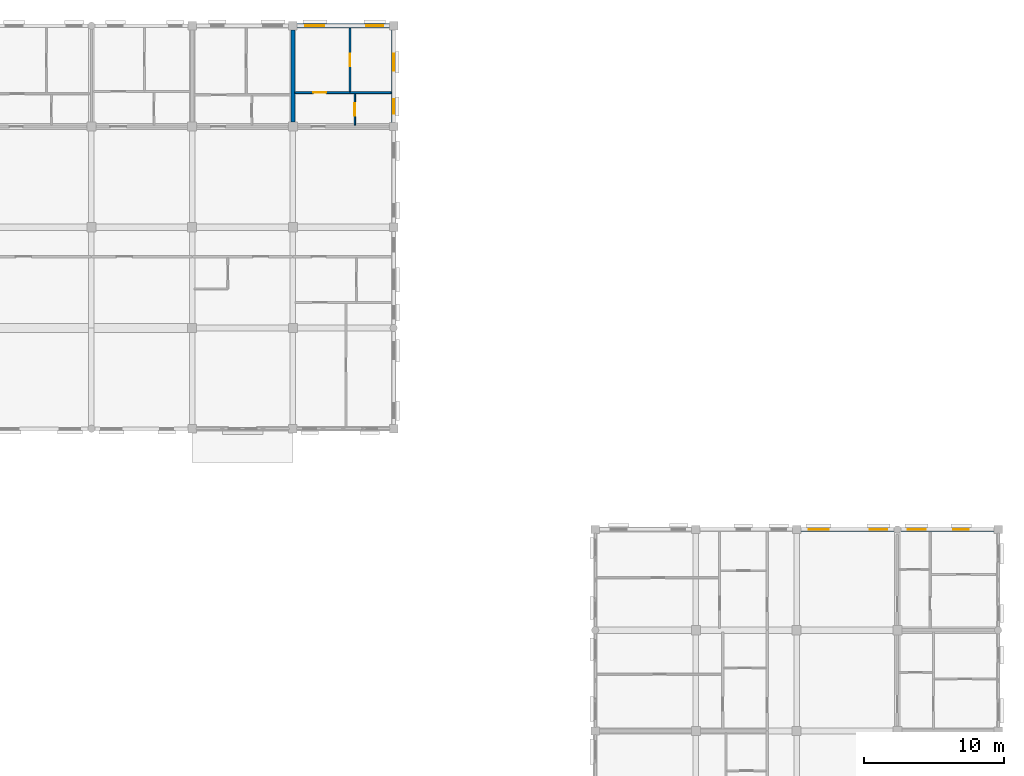
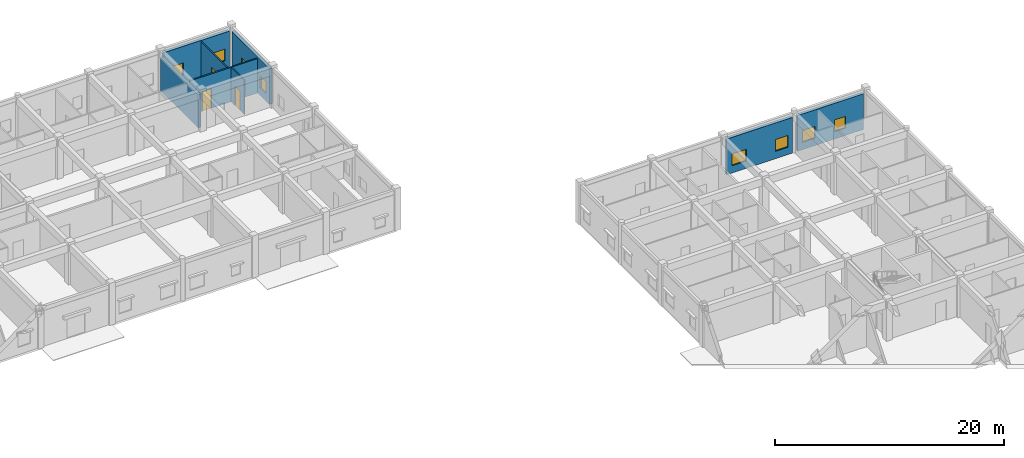
# One storey, part 121 of 138: 8 walls, 8 windows, 3 doors, 11 openings.
"""IFC4 building model written with IfcOpenShell, lengths in metres."""

import ifcopenshell
import ifcopenshell.guid

model = None  # the IFC model being written
_history = None  # IfcOwnerHistory: only IFC2X3 demands one
_inside = {}  # id of a spatial element -> (the spatial element, [elements in it])
_under = {}  # id of a project, library or spatial element -> (it, [spatial elements below it])
_declared = {}  # id of a project -> (the project, [libraries it declares])
_typed = {}  # id of a type object -> (the type object, [elements of that type])
_made_of = {}  # id of a material, layer set ... -> (it, [elements and type objects made of it])


def new_model(schema):
    """Start an empty IFC model of exactly this schema.

    Asked for "IFC4X3", IfcOpenShell would pick the latest addendum, in which some entities
    have other attributes; the version numbers below select the first issue.
    IFC2X3 requires an IfcOwnerHistory on every rooted entity: one is made here for all.
    """
    global model, _history
    if schema == "IFC4X3":
        model = ifcopenshell.file(schema_version=(4, 3, 0, 0))
    else:
        model = ifcopenshell.file(schema=schema)
    _inside.clear()
    _under.clear()
    _declared.clear()
    _typed.clear()
    _made_of.clear()
    _history = None
    if model.schema == "IFC2X3":
        org = make("IfcOrganization", Name="unknown")
        user = make(
            "IfcPersonAndOrganization",
            ThePerson=make("IfcPerson", FamilyName="unknown"),
            TheOrganization=org,
        )
        app = make(
            "IfcApplication",
            ApplicationDeveloper=org,
            Version="unknown",
            ApplicationFullName="unknown",
            ApplicationIdentifier="unknown",
        )
        _history = make(
            "IfcOwnerHistory",
            OwningUser=user,
            OwningApplication=app,
            ChangeAction="ADDED",
            CreationDate=0,
        )
    return model


def make(cls, **values):
    """One entity of the class cls with the attributes given. An attribute that is None is left unset."""
    return model.create_entity(
        cls, **{name: value for name, value in values.items() if value is not None}
    )


def rooted(cls, **values):
    """An entity with a GlobalId (a new one), such as an element, a storey or a relation."""
    return make(cls, GlobalId=ifcopenshell.guid.new(), OwnerHistory=_history, **values)


def si_unit(unit_type, name, prefix=None):
    """IfcSIUnit, for example si_unit("LENGTHUNIT", "METRE", prefix="MILLI")."""
    return make("IfcSIUnit", UnitType=unit_type, Prefix=prefix, Name=name)


def assignment(units):
    """IfcUnitAssignment: the units of a project."""
    return None if units is None else make("IfcUnitAssignment", Units=units)


def point(xyz):
    """IfcCartesianPoint."""
    return None if xyz is None else make("IfcCartesianPoint", Coordinates=xyz)


def direction(xyz):
    """IfcDirection."""
    return None if xyz is None else make("IfcDirection", DirectionRatios=xyz)


def frame(location, z_axis=None, x_axis=None):
    """IfcAxis2Placement3D, a coordinate frame: its origin and axes. An axis left out is left unset."""
    return make(
        "IfcAxis2Placement3D",
        Location=point(location),
        Axis=direction(z_axis),
        RefDirection=direction(x_axis),
    )


def frame_2d(location, x_axis=None):
    """IfcAxis2Placement2D, a coordinate frame in the plane: its origin and x axis."""
    return make(
        "IfcAxis2Placement2D", Location=point(location), RefDirection=direction(x_axis)
    )


def origin():
    """The frame at (0, 0, 0) with its axes left unset."""
    return frame((0.0, 0.0, 0.0))


def place(relative_to, where):
    """IfcLocalPlacement: puts the frame where relative to a parent placement (None: the world)."""
    return make(
        "IfcLocalPlacement", PlacementRelTo=relative_to, RelativePlacement=where
    )


def context(
    kind, dimensions, precision=None, world=None, true_north=None, identifier=None
):
    """IfcGeometricRepresentationContext, for example the 3D "Model" context."""
    return make(
        "IfcGeometricRepresentationContext",
        ContextIdentifier=identifier,
        ContextType=kind,
        CoordinateSpaceDimension=dimensions,
        Precision=precision,
        WorldCoordinateSystem=world,
        TrueNorth=true_north,
    )


def subcontext(parent, identifier, kind, view, scale=None):
    """IfcGeometricRepresentationSubContext, for example "Body" below "Model"."""
    return make(
        "IfcGeometricRepresentationSubContext",
        ContextIdentifier=identifier,
        ContextType=kind,
        ParentContext=parent,
        TargetScale=scale,
        TargetView=view,
    )


def project(units=None, contexts=None):
    """IfcProject with its units and contexts."""
    return rooted(
        "IfcProject",
        Name="project",
        RepresentationContexts=contexts,
        UnitsInContext=assignment(units),
    )


def spatial(cls, under=None, at=None, **own):
    """A site, building, storey or space (cls), placed at a placement, below another one or the project."""
    s = rooted(cls, ObjectPlacement=at, **own)
    if under is not None:
        _under.setdefault(under.id(), (under, []))[1].append(s)
    return s


def profile(cls, at=None, kind="AREA", **sizes):
    """A parametric profile (cls). Its sizes go by their IFC names, for example OverallWidth=200.0."""
    return make(cls, ProfileType=kind, Position=at, **sizes)


def rectangle(**sizes):
    """IfcRectangleProfileDef."""
    return profile("IfcRectangleProfileDef", **sizes)


def extrude(swept, where, along, depth):
    """IfcExtrudedAreaSolid: the profile swept, set in the frame where, extruded along a direction by depth."""
    return make(
        "IfcExtrudedAreaSolid",
        SweptArea=swept,
        Position=where,
        ExtrudedDirection=direction(along),
        Depth=depth,
    )


def shape(context_of_items, identifier, shape_type, items):
    """IfcShapeRepresentation: the items that make up one representation, for example the "Body"."""
    return make(
        "IfcShapeRepresentation",
        ContextOfItems=context_of_items,
        RepresentationIdentifier=identifier,
        RepresentationType=shape_type,
        Items=items,
    )


def material(Name=None, Category=None):
    """IfcMaterial."""
    return make("IfcMaterial", Name=Name, Category=Category)


def layer(
    of_material, thickness, ventilated=None, Name=None, Category=None, Priority=None
):
    """IfcMaterialLayer: one layer of a wall or slab, of a material (None: an air gap)."""
    return make(
        "IfcMaterialLayer",
        Material=of_material,
        LayerThickness=thickness,
        IsVentilated=ventilated,
        Name=Name,
        Category=Category,
        Priority=Priority,
    )


def layer_set(layers, Name=None):
    """IfcMaterialLayerSet."""
    return make("IfcMaterialLayerSet", MaterialLayers=layers, LayerSetName=Name)


def made_of(thing, what):
    """Note that an element or type object is made of a material, layer set ...; save() writes the relation."""
    if what is not None:
        _made_of.setdefault(what.id(), (what, []))[1].append(thing)
    return thing


def type_object(cls, material=None, **own):
    """A type object (cls), such as IfcWallType, which elements share."""
    return made_of(rooted(cls, **own), material)


def element(
    cls,
    number,
    at=None,
    inside=None,
    cuts=None,
    type_object=None,
    material=None,
    context=None,
    identifier="Body",
    shape_type=None,
    held_by="IfcProductDefinitionShape",
    body=None,
    shapes=None,
    **own,
):
    """One element of the class cls, such as IfcWall. Its Tag is "e" and its number.

    at: its placement. inside: the storey or other place that contains it. cuts: it is an
    opening in that element (IfcRelVoidsElement). A single representation is given by context,
    identifier, shape_type and body (its items); several are given by shapes. held_by: the class
    of the entity that holds the representations. save() writes the other relations.
    """
    e = rooted(cls, Tag="e%d" % number, ObjectPlacement=at, **own)
    if body is not None:
        shapes = [shape(context, identifier, shape_type, body)]
    if shapes is not None:
        e.Representation = make(held_by, Representations=shapes)
    if inside is not None:
        _inside.setdefault(inside.id(), (inside, []))[1].append(e)
    if cuts is not None:
        rooted(
            "IfcRelVoidsElement", RelatingBuildingElement=cuts, RelatedOpeningElement=e
        )
    if type_object is not None:
        _typed.setdefault(type_object.id(), (type_object, []))[1].append(e)
    return made_of(e, material)


def fill(opening, filler):
    """IfcRelFillsElement: the door or window that sits in an opening."""
    return rooted(
        "IfcRelFillsElement",
        RelatingOpeningElement=opening,
        RelatedBuildingElement=filler,
    )


def aggregate(whole, parts):
    """IfcRelAggregates: a whole, such as a stair, and the parts it consists of."""
    return rooted("IfcRelAggregates", RelatingObject=whole, RelatedObjects=parts)


def save(model, path):
    """Write the relations noted so far, then the file.

    IfcRelAggregates (storeys below a building ...), IfcRelContainedInSpatialStructure (elements
    in a storey), IfcRelDefinesByType, IfcRelAssociatesMaterial and IfcRelDeclares: one each for
    every whole, place, type object, material and project.
    """
    for whole, parts in _under.values():
        aggregate(whole, parts)
    for where, things in _inside.values():
        rooted(
            "IfcRelContainedInSpatialStructure",
            RelatedElements=things,
            RelatingStructure=where,
        )
    for kind, things in _typed.values():
        rooted("IfcRelDefinesByType", RelatedObjects=things, RelatingType=kind)
    for what, things in _made_of.values():
        rooted("IfcRelAssociatesMaterial", RelatedObjects=things, RelatingMaterial=what)
    for by, libraries in _declared.values():
        rooted("IfcRelDeclares", RelatingContext=by, RelatedDefinitions=libraries)
    model.write(path)


model = new_model("IFC4")

# Units and contexts
model_context = context("Model", 3, precision=1e-05, world=origin(), true_north=direction((0.0, 1.0)))
body_context = subcontext(model_context, "Body", "Model", "MODEL_VIEW")
ifc_project = project(units=[si_unit("LENGTHUNIT", "METRE"), si_unit("AREAUNIT", "SQUARE_METRE"), si_unit("VOLUMEUNIT", "CUBIC_METRE"), si_unit("PLANEANGLEUNIT", "RADIAN"), si_unit("MASSUNIT", "GRAM", prefix="KILO"), si_unit("THERMODYNAMICTEMPERATUREUNIT", "KELVIN"), si_unit("POWERUNIT", "WATT")], contexts=[model_context])

# Site, building, storey
site_placement = place(None, origin())
site = spatial("IfcSite", under=ifc_project, at=site_placement, CompositionType="ELEMENT")
building_placement = place(site_placement, origin())
building = spatial("IfcBuilding", under=site, at=building_placement, Name="Tavuni Mirador Residences", CompositionType="ELEMENT")
storey_placement = place(building_placement, origin())
storey = spatial("IfcBuildingStorey", under=building, at=storey_placement, Name="L00", CompositionType="ELEMENT", Elevation=0.0)

# Wall, openings, windows
ifc_material_1 = material(Name="Sgraffito lime-rendered precast concrete C40/50", Category="concrete")
ifc_layer_1 = layer(ifc_material_1, 0.2900390625, Name="Sgraffito lime-rendered precast concrete C40/50", Category="concrete")
ifc_layer_set_1 = layer_set([ifc_layer_1], Name="Sgraffito lime-rendered precast concrete C40/50")
wall_type_1 = type_object("IfcWallType", Name="WT-EXT-PC290", PredefinedType="SOLIDWALL", material=ifc_layer_set_1)
wall_1_placement = place(storey_placement, frame((75.60009765625, 165.89990234375, 0.0), z_axis=(0.0, 0.0, 1.0), x_axis=(0.0, 1.0, 0.0)))
wall_1 = element("IfcWall", 1, at=wall_1_placement, inside=storey, type_object=wall_type_1, Name="EW-BLK-C-L00-E03", PredefinedType="SOLIDWALL", context=body_context, shape_type="SweptSolid", body=[
    extrude(rectangle(XDim=6.60009765625, YDim=0.2900390625, at=frame_2d((3.300048828125, 0.0))), origin(), (0.0, 0.0, 1.0), 3.804931640625),
])
opening_1_placement = place(wall_1_placement, frame((0.610107421875, 0.0, 0.780029296875)))
opening_1 = element("IfcOpeningElement", 2, at=opening_1_placement, cuts=wall_1, Name="Opening WN-11", PredefinedType="OPENING", context=body_context, shape_type="SweptSolid", body=[
    extrude(rectangle(XDim=1.0400390625, YDim=1.260009765625, at=frame_2d((0.52001953125, 0.6298828125))), frame((0.0, 0.155029296875, 0.0), z_axis=(0.0, -1.0, 0.0), x_axis=(1.0, 0.0, 0.0)), (0.0, 0.0, 1.0), 0.31005859375),
])
opening_2_placement = place(wall_1_placement, frame((3.68994140625, 0.0, 0.780029296875)))
opening_2 = element("IfcOpeningElement", 3, at=opening_2_placement, cuts=wall_1, Name="Opening WN-13", PredefinedType="OPENING", context=body_context, shape_type="SweptSolid", body=[
    extrude(rectangle(XDim=1.199951171875, YDim=1.260009765625, at=frame_2d((0.60009765625, 0.6298828125))), frame((0.0, 0.155029296875, 0.0), z_axis=(0.0, -1.0, 0.0), x_axis=(1.0, 0.0, 0.0)), (0.0, 0.0, 1.0), 0.31005859375),
])
ifc_material_2 = material(Name="Laminated solar-control glass", Category="glass")
window_type_1 = type_object("IfcWindowType", Name="WNT-11", PartitioningType="SINGLE_PANEL", PredefinedType="WINDOW", material=ifc_material_2)
window_1_placement = place(opening_1_placement, origin())
window_1 = element("IfcWindow", 4, at=window_1_placement, inside=storey, type_object=window_type_1, Name="WIN-0820", OverallHeight=1.260009765625, OverallWidth=1.0400390625, PartitioningType="SINGLE_PANEL", PredefinedType="WINDOW", context=body_context, shape_type="SweptSolid", body=[
    extrude(rectangle(XDim=1.0400390625, YDim=1.260009765625, at=frame_2d((0.52001953125, 0.6298828125))), frame((0.0, 0.030029296875, 0.0), z_axis=(0.0, -1.0, 0.0), x_axis=(1.0, 0.0, 0.0)), (0.0, 0.0, 1.0), 0.06005859375),
])
fill(opening_1, window_1)
window_type_2 = type_object("IfcWindowType", Name="WNT-13", PartitioningType="SINGLE_PANEL", PredefinedType="WINDOW", material=ifc_material_2)
window_2_placement = place(opening_2_placement, origin())
window_2 = element("IfcWindow", 5, at=window_2_placement, inside=storey, type_object=window_type_2, Name="WIN-0821", OverallHeight=1.260009765625, OverallWidth=1.199951171875, PartitioningType="SINGLE_PANEL", PredefinedType="WINDOW", context=body_context, shape_type="SweptSolid", body=[
    extrude(rectangle(XDim=1.199951171875, YDim=1.260009765625, at=frame_2d((0.60009765625, 0.6298828125))), frame((0.0, 0.030029296875, 0.0), z_axis=(0.0, -1.0, 0.0), x_axis=(1.0, 0.0, 0.0)), (0.0, 0.0, 1.0), 0.06005859375),
])
fill(opening_2, window_2)

wall_2_placement = place(storey_placement, frame((118.5, 136.800048828125, 0.0), z_axis=(0.0, 0.0, 1.0), x_axis=(-1.0, 0.0, 0.0)))
wall_2 = element("IfcWall", 6, at=wall_2_placement, inside=storey, type_object=wall_type_1, Name="EW-BLK-D-L00-N03", PredefinedType="SOLIDWALL", context=body_context, shape_type="SweptSolid", body=[
    extrude(rectangle(XDim=6.639892578125, YDim=0.2900390625, at=frame_2d((3.31982421875, 0.0))), origin(), (0.0, 0.0, 1.0), 3.81005859375),
])
opening_3_placement = place(wall_2_placement, frame((1.7900390625, 0.0, 0.780029296875)))
opening_3 = element("IfcOpeningElement", 7, at=opening_3_placement, cuts=wall_2, Name="Opening WN-12", PredefinedType="OPENING", context=body_context, shape_type="SweptSolid", body=[
    extrude(rectangle(XDim=1.1201171875, YDim=1.260009765625, at=frame_2d((0.56005859375, 0.6298828125))), frame((0.0, 0.155029296875, 0.0), z_axis=(0.0, -1.0, 0.0), x_axis=(1.0, 0.0, 0.0)), (0.0, 0.0, 1.0), 0.31005859375),
])
opening_4_placement = place(wall_2_placement, frame((4.889892578125, 0.0, 0.780029296875)))
opening_4 = element("IfcOpeningElement", 8, at=opening_4_placement, cuts=wall_2, Name="Opening WN-14", PredefinedType="OPENING", context=body_context, shape_type="SweptSolid", body=[
    extrude(rectangle(XDim=1.280029296875, YDim=1.260009765625, at=frame_2d((0.64013671875, 0.6298828125))), frame((0.0, 0.155029296875, 0.0), z_axis=(0.0, -1.0, 0.0), x_axis=(1.0, 0.0, 0.0)), (0.0, 0.0, 1.0), 0.31005859375),
])
window_type_3 = type_object("IfcWindowType", Name="WNT-12", PartitioningType="SINGLE_PANEL", PredefinedType="WINDOW", material=ifc_material_2)
window_3_placement = place(opening_3_placement, origin())
window_3 = element("IfcWindow", 9, at=window_3_placement, inside=storey, type_object=window_type_3, Name="WIN-1421", OverallHeight=1.260009765625, OverallWidth=1.1201171875, PartitioningType="SINGLE_PANEL", PredefinedType="WINDOW", context=body_context, shape_type="SweptSolid", body=[
    extrude(rectangle(XDim=1.1201171875, YDim=1.260009765625, at=frame_2d((0.56005859375, 0.6298828125))), frame((0.0, 0.030029296875, 0.0), z_axis=(0.0, -1.0, 0.0), x_axis=(1.0, 0.0, 0.0)), (0.0, 0.0, 1.0), 0.06005859375),
])
fill(opening_3, window_3)
window_type_4 = type_object("IfcWindowType", Name="WNT-14", PartitioningType="SINGLE_PANEL", PredefinedType="WINDOW", material=ifc_material_2)
window_4_placement = place(opening_4_placement, origin())
window_4 = element("IfcWindow", 10, at=window_4_placement, inside=storey, type_object=window_type_4, Name="WIN-1422", OverallHeight=1.260009765625, OverallWidth=1.280029296875, PartitioningType="SINGLE_PANEL", PredefinedType="WINDOW", context=body_context, shape_type="SweptSolid", body=[
    extrude(rectangle(XDim=1.280029296875, YDim=1.260009765625, at=frame_2d((0.64013671875, 0.6298828125))), frame((0.0, 0.030029296875, 0.0), z_axis=(0.0, -1.0, 0.0), x_axis=(1.0, 0.0, 0.0)), (0.0, 0.0, 1.0), 0.06005859375),
])
fill(opening_4, window_4)

ifc_layer_2 = layer(ifc_material_1, 0.304931640625, Name="Sgraffito lime-rendered precast concrete C40/50", Category="concrete")
ifc_layer_set_2 = layer_set([ifc_layer_2], Name="Sgraffito lime-rendered precast concrete C40/50")
wall_type_2 = type_object("IfcWallType", Name="WT-EXT-PC305", PredefinedType="SOLIDWALL", material=ifc_layer_set_2)
wall_3_placement = place(storey_placement, frame((111.340087890625, 136.800048828125, 0.0), z_axis=(0.0, 0.0, 1.0), x_axis=(-1.0, 0.0, 0.0)))
wall_3 = element("IfcWall", 11, at=wall_3_placement, inside=storey, type_object=wall_type_2, Name="EW-BLK-D-L00-N02", PredefinedType="SOLIDWALL", context=body_context, shape_type="SweptSolid", body=[
    extrude(rectangle(XDim=6.64013671875, YDim=0.304931640625, at=frame_2d((3.320068359375, 0.0))), origin(), (0.0, 0.0, 1.0), 3.81005859375),
])
opening_5_placement = place(wall_3_placement, frame((0.449951171875, 0.0, 0.780029296875)))
opening_5 = element("IfcOpeningElement", 12, at=opening_5_placement, cuts=wall_3, Name="Opening WN-14", PredefinedType="OPENING", context=body_context, shape_type="SweptSolid", body=[
    extrude(rectangle(XDim=1.280029296875, YDim=1.260009765625, at=frame_2d((0.64013671875, 0.6298828125))), frame((0.0, 0.16259765625, 0.0), z_axis=(0.0, -1.0, 0.0), x_axis=(1.0, 0.0, 0.0)), (0.0, 0.0, 1.0), 0.324951171875),
])
opening_6_placement = place(wall_3_placement, frame((4.64990234375, 0.0, 0.780029296875)))
opening_6 = element("IfcOpeningElement", 13, at=opening_6_placement, cuts=wall_3, Name="Opening WN-16", PredefinedType="OPENING", context=body_context, shape_type="SweptSolid", body=[
    extrude(rectangle(XDim=1.43994140625, YDim=1.260009765625, at=frame_2d((0.719970703125, 0.6298828125))), frame((0.0, 0.16259765625, 0.0), z_axis=(0.0, -1.0, 0.0), x_axis=(1.0, 0.0, 0.0)), (0.0, 0.0, 1.0), 0.324951171875),
])
window_5_placement = place(opening_5_placement, origin())
window_5 = element("IfcWindow", 14, at=window_5_placement, inside=storey, type_object=window_type_4, Name="WIN-1423", OverallHeight=1.260009765625, OverallWidth=1.280029296875, PartitioningType="SINGLE_PANEL", PredefinedType="WINDOW", context=body_context, shape_type="SweptSolid", body=[
    extrude(rectangle(XDim=1.280029296875, YDim=1.260009765625, at=frame_2d((0.64013671875, 0.6298828125))), frame((0.0, 0.030029296875, 0.0), z_axis=(0.0, -1.0, 0.0), x_axis=(1.0, 0.0, 0.0)), (0.0, 0.0, 1.0), 0.06005859375),
])
fill(opening_5, window_5)
window_type_5 = type_object("IfcWindowType", Name="WNT-16", PartitioningType="SINGLE_PANEL", PredefinedType="WINDOW", material=ifc_material_2)
window_6_placement = place(opening_6_placement, origin())
window_6 = element("IfcWindow", 15, at=window_6_placement, inside=storey, type_object=window_type_5, Name="WIN-1424", OverallHeight=1.260009765625, OverallWidth=1.43994140625, PartitioningType="SINGLE_PANEL", PredefinedType="WINDOW", context=body_context, shape_type="SweptSolid", body=[
    extrude(rectangle(XDim=1.43994140625, YDim=1.260009765625, at=frame_2d((0.719970703125, 0.6298828125))), frame((0.0, 0.030029296875, 0.0), z_axis=(0.0, -1.0, 0.0), x_axis=(1.0, 0.0, 0.0)), (0.0, 0.0, 1.0), 0.06005859375),
])
fill(opening_6, window_6)

ifc_layer_3 = layer(ifc_material_1, 0.31494140625, Name="Sgraffito lime-rendered precast concrete C40/50", Category="concrete")
ifc_layer_set_3 = layer_set([ifc_layer_3], Name="Sgraffito lime-rendered precast concrete C40/50")
wall_type_3 = type_object("IfcWallType", Name="WT-EXT-PC315", PredefinedType="SOLIDWALL", material=ifc_layer_set_3)
wall_4_placement = place(storey_placement, frame((75.300048828125, 172.800048828125, 0.0), z_axis=(0.0, 0.0, 1.0), x_axis=(-1.0, 0.0, 0.0)))
wall_4 = element("IfcWall", 16, at=wall_4_placement, inside=storey, type_object=wall_type_3, Name="EW-BLK-C-L00-N08", PredefinedType="SOLIDWALL", context=body_context, shape_type="SweptSolid", body=[
    extrude(rectangle(XDim=6.60009765625, YDim=0.31494140625, at=frame_2d((3.300048828125, 0.0))), origin(), (0.0, 0.0, 1.0), 3.804931640625),
])
opening_7_placement = place(wall_4_placement, frame((0.449951171875, 0.0, 0.780029296875)))
opening_7 = element("IfcOpeningElement", 17, at=opening_7_placement, cuts=wall_4, Name="Opening WN-13", PredefinedType="OPENING", context=body_context, shape_type="SweptSolid", body=[
    extrude(rectangle(XDim=1.199951171875, YDim=1.260009765625, at=frame_2d((0.60009765625, 0.6298828125))), frame((0.0, 0.16748046875, 0.0), z_axis=(0.0, -1.0, 0.0), x_axis=(1.0, 0.0, 0.0)), (0.0, 0.0, 1.0), 0.3349609375),
])
opening_8_placement = place(wall_4_placement, frame((4.64990234375, 0.0, 0.780029296875)))
opening_8 = element("IfcOpeningElement", 18, at=opening_8_placement, cuts=wall_4, Name="Opening WN-15", PredefinedType="OPENING", context=body_context, shape_type="SweptSolid", body=[
    extrude(rectangle(XDim=1.360107421875, YDim=1.260009765625, at=frame_2d((0.68017578125, 0.6298828125))), frame((0.0, 0.16748046875, 0.0), z_axis=(0.0, -1.0, 0.0), x_axis=(1.0, 0.0, 0.0)), (0.0, 0.0, 1.0), 0.3349609375),
])
window_7_placement = place(opening_7_placement, origin())
window_7 = element("IfcWindow", 19, at=window_7_placement, inside=storey, type_object=window_type_2, Name="WIN-0822", OverallHeight=1.260009765625, OverallWidth=1.199951171875, PartitioningType="SINGLE_PANEL", PredefinedType="WINDOW", context=body_context, shape_type="SweptSolid", body=[
    extrude(rectangle(XDim=1.199951171875, YDim=1.260009765625, at=frame_2d((0.60009765625, 0.6298828125))), frame((0.0, 0.030029296875, 0.0), z_axis=(0.0, -1.0, 0.0), x_axis=(1.0, 0.0, 0.0)), (0.0, 0.0, 1.0), 0.06005859375),
])
fill(opening_7, window_7)
window_type_6 = type_object("IfcWindowType", Name="WNT-15", PartitioningType="SINGLE_PANEL", PredefinedType="WINDOW", material=ifc_material_2)
window_8_placement = place(opening_8_placement, origin())
window_8 = element("IfcWindow", 20, at=window_8_placement, inside=storey, type_object=window_type_6, Name="WIN-0823", OverallHeight=1.260009765625, OverallWidth=1.360107421875, PartitioningType="SINGLE_PANEL", PredefinedType="WINDOW", context=body_context, shape_type="SweptSolid", body=[
    extrude(rectangle(XDim=1.360107421875, YDim=1.260009765625, at=frame_2d((0.68017578125, 0.6298828125))), frame((0.0, 0.030029296875, 0.0), z_axis=(0.0, -1.0, 0.0), x_axis=(1.0, 0.0, 0.0)), (0.0, 0.0, 1.0), 0.06005859375),
])
fill(opening_8, window_8)

# Wall, opening, door
ifc_material_3 = material(Name="Acoustic gypsum and concrete block partition", Category="concrete")
ifc_layer_4 = layer(ifc_material_3, 0.10498046875, Name="Acoustic gypsum and concrete block partition", Category="concrete")
ifc_layer_set_4 = layer_set([ifc_layer_4], Name="Acoustic gypsum and concrete block partition")
wall_type_4 = type_object("IfcWallType", Name="WT-PART105", PredefinedType="PARTITIONING", material=ifc_layer_set_4)
wall_5_placement = place(storey_placement, frame((72.820068359375, 165.68994140625, 0.0), z_axis=(0.0, 0.0, 1.0), x_axis=(0.0, 1.0, 0.0)))
wall_5 = element("IfcWall", 21, at=wall_5_placement, inside=storey, type_object=wall_type_4, Name="PW-BLK-C-L00-N08-IN1", PredefinedType="PARTITIONING", context=body_context, shape_type="SweptSolid", body=[
    extrude(rectangle(XDim=2.260009765625, YDim=0.10498046875, at=frame_2d((1.1298828125, 0.0))), origin(), (0.0, 0.0, 1.0), 3.669921875),
])
opening_9_placement = place(wall_5_placement, frame((0.695068359375, 0.0, 0.0)))
opening_9 = element("IfcOpeningElement", 22, at=opening_9_placement, cuts=wall_5, Name="Opening D-10", PredefinedType="OPENING", context=body_context, shape_type="SweptSolid", body=[
    extrude(rectangle(XDim=0.8701171875, YDim=2.050048828125, at=frame_2d((0.43505859375, 1.02490234375))), frame((0.0, 0.0625, 0.0), z_axis=(0.0, -1.0, 0.0), x_axis=(1.0, 0.0, 0.0)), (0.0, 0.0, 1.0), 0.125),
])
ifc_material_4 = material(Name="Solid core iroko timber", Category="wood")
door_type_1 = type_object("IfcDoorType", Name="DT-WC870", OperationType="NOTDEFINED", PredefinedType="DOOR", material=ifc_material_4)
door_1_placement = place(opening_9_placement, origin())
door_1 = element("IfcDoor", 23, at=door_1_placement, inside=storey, type_object=door_type_1, Name="DR-3682", OperationType="SINGLE_SWING_RIGHT", OverallHeight=2.050048828125, OverallWidth=0.8701171875, PredefinedType="DOOR", context=body_context, shape_type="SweptSolid", body=[
    extrude(rectangle(XDim=0.8701171875, YDim=2.050048828125, at=frame_2d((0.43505859375, 1.02490234375))), frame((0.0, 0.02490234375, 0.0), z_axis=(0.0, -1.0, 0.0), x_axis=(1.0, 0.0, 0.0)), (0.0, 0.0, 1.0), 0.050048828125),
])
fill(opening_9, door_1)

ifc_layer_5 = layer(ifc_material_3, 0.114990234375, Name="Acoustic gypsum and concrete block partition", Category="concrete")
ifc_layer_set_5 = layer_set([ifc_layer_5], Name="Acoustic gypsum and concrete block partition")
wall_type_5 = type_object("IfcWallType", Name="WT-PART115", PredefinedType="PARTITIONING", material=ifc_layer_set_5)
wall_6_placement = place(storey_placement, frame((72.47998046875, 168.090087890625, 0.0), z_axis=(0.0, 0.0, 1.0), x_axis=(0.0, 1.0, 0.0)))
wall_6 = element("IfcWall", 24, at=wall_6_placement, inside=storey, type_object=wall_type_5, Name="PW-BLK-C-L00-N08-OUT", PredefinedType="PARTITIONING", context=body_context, shape_type="SweptSolid", body=[
    extrude(rectangle(XDim=4.534912109375, YDim=0.114990234375, at=frame_2d((2.267578125, 0.0))), origin(), (0.0, 0.0, 1.0), 3.669921875),
])
opening_10_placement = place(wall_6_placement, frame((1.827392578125, 0.0, 0.0)))
opening_10 = element("IfcOpeningElement", 25, at=opening_10_placement, cuts=wall_6, Name="Opening D-08", PredefinedType="OPENING", context=body_context, shape_type="SweptSolid", body=[
    extrude(rectangle(XDim=0.8798828125, YDim=2.080078125, at=frame_2d((0.43994140625, 1.0400390625))), frame((0.0, 0.0673828125, 0.0), z_axis=(0.0, -1.0, 0.0), x_axis=(1.0, 0.0, 0.0)), (0.0, 0.0, 1.0), 0.135009765625),
])
door_type_2 = type_object("IfcDoorType", Name="DT-BED880", OperationType="NOTDEFINED", PredefinedType="DOOR", material=ifc_material_4)
door_2_placement = place(opening_10_placement, origin())
door_2 = element("IfcDoor", 26, at=door_2_placement, inside=storey, type_object=door_type_2, Name="DR-3681", OperationType="SINGLE_SWING_LEFT", OverallHeight=2.080078125, OverallWidth=0.8798828125, PredefinedType="DOOR", context=body_context, shape_type="SweptSolid", body=[
    extrude(rectangle(XDim=0.8798828125, YDim=2.080078125, at=frame_2d((0.43994140625, 1.0400390625))), frame((0.0, 0.02490234375, 0.0), z_axis=(0.0, -1.0, 0.0), x_axis=(1.0, 0.0, 0.0)), (0.0, 0.0, 1.0), 0.050048828125),
])
fill(opening_10, door_2)

ifc_layer_6 = layer(ifc_material_3, 0.139892578125, Name="Acoustic gypsum and concrete block partition", Category="concrete")
ifc_layer_set_6 = layer_set([ifc_layer_6], Name="Acoustic gypsum and concrete block partition")
wall_type_6 = type_object("IfcWallType", Name="WT-PART140", PredefinedType="PARTITIONING", material=ifc_layer_set_6)
wall_7_placement = place(storey_placement, frame((68.5400390625, 168.02001953125, 0.0), z_axis=(0.0, 0.0, 1.0), x_axis=(1.0, 0.0, 0.0)))
wall_7 = element("IfcWall", 27, at=wall_7_placement, inside=storey, type_object=wall_type_6, Name="PW-BLK-C-L00-N08-MID", PredefinedType="PARTITIONING", context=body_context, shape_type="SweptSolid", body=[
    extrude(rectangle(XDim=6.885009765625, YDim=0.139892578125, at=frame_2d((3.4423828125, 0.0))), origin(), (0.0, 0.0, 1.0), 3.669921875),
])
opening_11_placement = place(wall_7_placement, frame((1.31005859375, 0.0, 0.0)))
opening_11 = element("IfcOpeningElement", 28, at=opening_11_placement, cuts=wall_7, Name="Opening D-06", PredefinedType="OPENING", context=body_context, shape_type="SweptSolid", body=[
    extrude(rectangle(XDim=0.919921875, YDim=2.10009765625, at=frame_2d((0.4599609375, 1.050048828125))), frame((0.0, 0.080078125, 0.0), z_axis=(0.0, -1.0, 0.0), x_axis=(1.0, 0.0, 0.0)), (0.0, 0.0, 1.0), 0.159912109375),
])
door_type_3 = type_object("IfcDoorType", Name="DT-INT920", OperationType="NOTDEFINED", PredefinedType="DOOR", material=ifc_material_4)
door_3_placement = place(opening_11_placement, origin())
door_3 = element("IfcDoor", 29, at=door_3_placement, inside=storey, type_object=door_type_3, Name="DR-3683", OperationType="SINGLE_SWING_RIGHT", OverallHeight=2.10009765625, OverallWidth=0.919921875, PredefinedType="DOOR", context=body_context, shape_type="SweptSolid", body=[
    extrude(rectangle(XDim=0.919921875, YDim=2.10009765625, at=frame_2d((0.4599609375, 1.050048828125))), frame((0.0, 0.02490234375, 0.0), z_axis=(0.0, -1.0, 0.0), x_axis=(1.0, 0.0, 0.0)), (0.0, 0.0, 1.0), 0.050048828125),
])
fill(opening_11, door_3)

# Wall
ifc_material_5 = material(Name="Precast concrete C40/50", Category="concrete")
ifc_layer_7 = layer(ifc_material_5, 0.264892578125, Name="Precast concrete C40/50", Category="concrete")
ifc_layer_set_7 = layer_set([ifc_layer_7], Name="Precast concrete C40/50")
wall_type_7 = type_object("IfcWallType", Name="WT-XW265", PredefinedType="SOLIDWALL", material=ifc_layer_set_7)
wall_8_placement = place(storey_placement, frame((68.39990234375, 165.925048828125, 0.0), z_axis=(0.0, 0.0, 1.0), x_axis=(0.0, 1.0, 0.0)))
element("IfcWall", 30, at=wall_8_placement, inside=storey, type_object=wall_type_7, Name="XW-BLK-C-L00-N-08", PredefinedType="SOLIDWALL", context=body_context, shape_type="SweptSolid", body=[
    extrude(rectangle(XDim=6.574951171875, YDim=0.264892578125, at=frame_2d((3.28759765625, 0.0))), origin(), (0.0, 0.0, 1.0), 3.534912109375),
])

save(model, "model.ifc")
